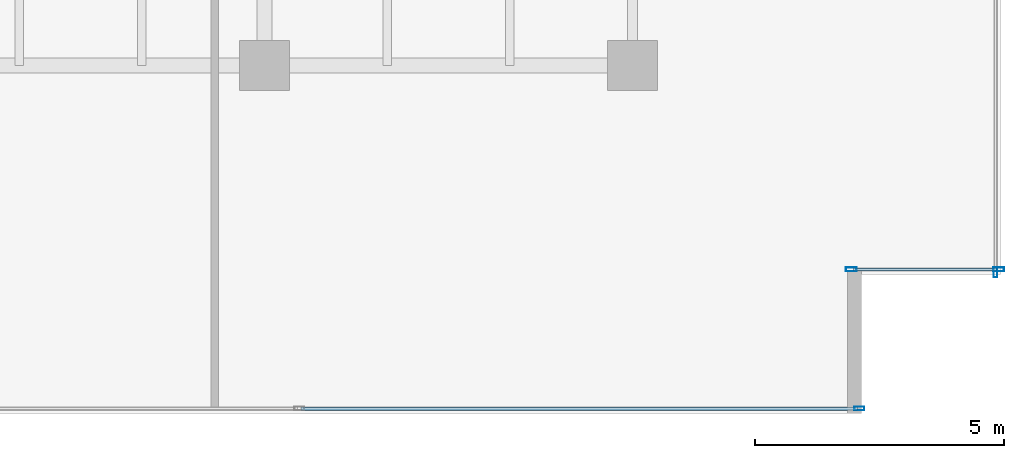
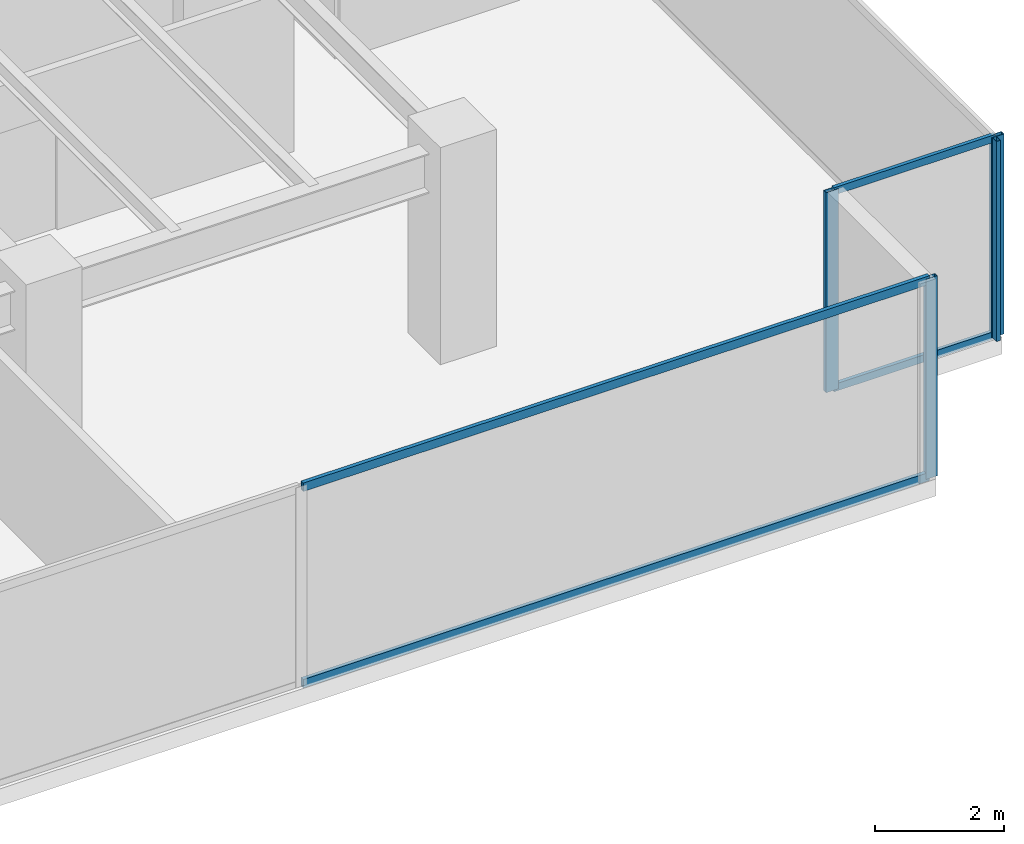
# One storey, part 23 of 35: 8 members, 3 elements without a shape of their own.
"""IFC4 building model written with IfcOpenShell, lengths in metres."""

from ifc_helpers import new_model, si_unit, direction, frame, origin, origin_2d, place, context, subcontext, project, spatial, hollow_rectangle, extrude, source, transform, mapped, material, layer, layer_set, material_profile, profile_set, type_object, type_shapes, element, aggregate, save


model = new_model("IFC4")

# Units and contexts
model_context = context("Model", 3, precision=1e-05, world=origin(), true_north=direction((0.0, 1.0)))
body_context = subcontext(model_context, "Body", "Model", "MODEL_VIEW")
ifc_project = project(units=[si_unit("LENGTHUNIT", "METRE"), si_unit("AREAUNIT", "SQUARE_METRE"), si_unit("VOLUMEUNIT", "CUBIC_METRE"), si_unit("PLANEANGLEUNIT", "RADIAN"), si_unit("MASSUNIT", "GRAM", prefix="KILO")], contexts=[model_context])

# Site, building, storey
site_placement = place(None, origin())
site = spatial("IfcSite", under=ifc_project, at=site_placement, CompositionType="ELEMENT")
building_placement = place(site_placement, origin())
building = spatial("IfcBuilding", under=site, at=building_placement, Name="Haelvirn Gate Laboratories", CompositionType="ELEMENT")
storey_placement = place(building_placement, frame((0.0, 0.0, 58.0)))
storey = spatial("IfcBuildingStorey", under=building, at=storey_placement, Name="L14", CompositionType="ELEMENT", Elevation=58.0)

# Curtain wall, member
ifc_material_1 = material(Name="Anodised bronze unitised aluminium & triple low-E glass", Category="aluminium")
ifc_layer_1 = layer(ifc_material_1, 0.18408203125, Name="CW-SYS-2")
ifc_layer_set_1 = layer_set([ifc_layer_1], Name="Anodised bronze unitised aluminium & triple low-E glass")
curtain_wall_type_1 = type_object("IfcCurtainWallType", Name="CW-SYS-2", PredefinedType="NOTDEFINED", material=ifc_layer_set_1)
curtain_wall_1_placement = place(storey_placement, origin())
curtain_wall_1 = element("IfcCurtainWall", 1, at=curtain_wall_1_placement, inside=storey, type_object=curtain_wall_type_1, Name="L14 Unitised Curtain Wall CW-L14-P0-E04-1", PredefinedType="NOTDEFINED")
ifc_material_2 = material(Name="Extruded aluminium 6063-T6 (anodised bronze)", Category="aluminium")
ifc_material_profile_1 = material_profile(ifc_material_2, hollow_rectangle(XDim=0.074951171875, YDim=0.199951171875, WallThickness=0.0048828125, at=origin_2d()), Name="CWM-200x75x5")
ifc_profile_set_1 = profile_set([ifc_material_profile_1], Name="Extruded aluminium 6063-T6 (anodised bronze)")
member_type_1 = type_object("IfcMemberType", Name="CWM-T200", PredefinedType="MULLION", material=ifc_profile_set_1)
shared_shape_1 = source(origin(), body_context, "Body", "SweptSolid", [
    extrude(hollow_rectangle(XDim=0.074951171875, YDim=0.199951171875, WallThickness=0.0048828125, at=origin_2d()), origin(), (0.0, 0.0, 1.0), 3.780029296875),
])
type_shapes(member_type_1, [shared_shape_1])
member_1_placement = place(storey_placement, frame((71.96240234375, 0.10009765625, 0.0), z_axis=(0.0, 0.0, 1.0), x_axis=(0.0, 1.0, 0.0)))
member_1 = element("IfcMember", 2, at=member_1_placement, type_object=member_type_1, Name="CW2 mullion 3", PredefinedType="MULLION", context=body_context, shape_type="MappedRepresentation", body=[
    mapped(shared_shape_1, transform((0.0, 0.0, 0.0), scale=1.0)),
])

curtain_wall_2_placement = place(storey_placement, origin())
curtain_wall_2 = element("IfcCurtainWall", 3, at=curtain_wall_2_placement, inside=storey, type_object=curtain_wall_type_1, Name="L14 Unitised Curtain Wall CW-L14-P0-E07", PredefinedType="NOTDEFINED")
member_2_placement = place(storey_placement, frame((74.699951171875, 2.83740234375, 0.0), z_axis=(0.0, 0.0, 1.0), x_axis=(-1.0, 0.0, 0.0)))
member_2 = element("IfcMember", 4, at=member_2_placement, type_object=member_type_1, Name="CW2 mullion 1", PredefinedType="MULLION", context=body_context, shape_type="MappedRepresentation", body=[
    mapped(shared_shape_1, transform((0.0, 0.0, 0.0), scale=1.0)),
])
aggregate(curtain_wall_2, [member_2])

# Member
ifc_material_profile_2 = material_profile(ifc_material_2, hollow_rectangle(XDim=0.070068359375, YDim=0.159912109375, WallThickness=0.0048828125, at=origin_2d()), Name="CWT-160x70x5")
ifc_profile_set_2 = profile_set([ifc_material_profile_2], Name="Extruded aluminium 6063-T6 (anodised bronze)")
member_type_2 = type_object("IfcMemberType", Name="CWT-T160", PredefinedType="USERDEFINED", material=ifc_profile_set_2)
shared_shape_2 = source(origin(), body_context, "Body", "SweptSolid", [
    extrude(hollow_rectangle(XDim=0.070068359375, YDim=0.159912109375, WallThickness=0.0048828125, at=origin_2d()), origin(), (0.0, 0.0, 1.0), 11.1875),
])
type_shapes(member_type_2, [shared_shape_2])
member_3_placement = place(storey_placement, frame((60.737548828125, 0.10009765625, 0.034912109375), z_axis=(1.0, 0.0, 0.0), x_axis=(0.0, 1.0, 0.0)))
member_3 = element("IfcMember", 5, at=member_3_placement, type_object=member_type_2, Name="CW2 transom 2.1", ObjectType="TRANSOM", PredefinedType="USERDEFINED", context=body_context, shape_type="MappedRepresentation", body=[
    mapped(shared_shape_2, transform((0.0, 0.0, 0.0), scale=1.0)),
])

member_4_placement = place(storey_placement, frame((60.737548828125, 0.10009765625, 3.7451171875), z_axis=(1.0, 0.0, 0.0), x_axis=(0.0, 1.0, 0.0)))
member_4 = element("IfcMember", 6, at=member_4_placement, type_object=member_type_2, Name="CW2 transom 2.2", ObjectType="TRANSOM", PredefinedType="USERDEFINED", context=body_context, shape_type="MappedRepresentation", body=[
    mapped(shared_shape_2, transform((0.0, 0.0, 0.0), scale=1.0)),
])

aggregate(curtain_wall_1, [member_1, member_3, member_4])

# Curtain wall, members
ifc_layer_2 = layer(ifc_material_1, 0.181884765625, Name="CW-SYS-5")
ifc_layer_set_2 = layer_set([ifc_layer_2], Name="Anodised bronze unitised aluminium & triple low-E glass")
curtain_wall_type_2 = type_object("IfcCurtainWallType", Name="CW-SYS-5", PredefinedType="NOTDEFINED", material=ifc_layer_set_2)
curtain_wall_3_placement = place(storey_placement, origin())
curtain_wall_3 = element("IfcCurtainWall", 7, at=curtain_wall_3_placement, inside=storey, type_object=curtain_wall_type_2, Name="L14 Unitised Curtain Wall CW-L14-P0-E06-1", PredefinedType="NOTDEFINED")
ifc_material_profile_3 = material_profile(ifc_material_2, hollow_rectangle(XDim=0.080078125, YDim=0.219970703125, WallThickness=0.006103515625, at=origin_2d()), Name="CWM-220x80x6")
ifc_profile_set_3 = profile_set([ifc_material_profile_3], Name="Extruded aluminium 6063-T6 (anodised bronze)")
member_type_3 = type_object("IfcMemberType", Name="CWM-T220", PredefinedType="MULLION", material=ifc_profile_set_3)
shared_shape_3 = source(origin(), body_context, "Body", "SweptSolid", [
    extrude(hollow_rectangle(XDim=0.080078125, YDim=0.219970703125, WallThickness=0.006103515625, at=origin_2d()), origin(), (0.0, 0.0, 1.0), 3.780029296875),
])
type_shapes(member_type_3, [shared_shape_3])
member_5_placement = place(storey_placement, frame((71.800048828125, 2.89990234375, 0.0), z_axis=(0.0, 0.0, 1.0), x_axis=(0.0, 1.0, 0.0)))
member_5 = element("IfcMember", 8, at=member_5_placement, type_object=member_type_3, Name="CW5 mullion 1", PredefinedType="MULLION", context=body_context, shape_type="MappedRepresentation", body=[
    mapped(shared_shape_3, transform((0.0, 0.0, 0.0), scale=1.0)),
])
member_6_placement = place(storey_placement, frame((74.760009765625, 2.89990234375, 0.0), z_axis=(0.0, 0.0, 1.0), x_axis=(0.0, 1.0, 0.0)))
member_6 = element("IfcMember", 9, at=member_6_placement, type_object=member_type_3, Name="CW5 mullion 2", PredefinedType="MULLION", context=body_context, shape_type="MappedRepresentation", body=[
    mapped(shared_shape_3, transform((0.0, 0.0, 0.0), scale=1.0)),
])
ifc_material_profile_4 = material_profile(ifc_material_2, hollow_rectangle(XDim=0.06494140625, YDim=0.139892578125, WallThickness=0.00390625, at=origin_2d()), Name="CWT-140x65x4")
ifc_profile_set_4 = profile_set([ifc_material_profile_4], Name="Extruded aluminium 6063-T6 (anodised bronze)")
member_type_4 = type_object("IfcMemberType", Name="CWT-T140", PredefinedType="USERDEFINED", material=ifc_profile_set_4)
shared_shape_4 = source(origin(), body_context, "Body", "SweptSolid", [
    extrude(hollow_rectangle(XDim=0.06494140625, YDim=0.139892578125, WallThickness=0.00390625, at=origin_2d()), origin(), (0.0, 0.0, 1.0), 2.8798828125),
])
type_shapes(member_type_4, [shared_shape_4])
member_7_placement = place(storey_placement, frame((71.840087890625, 2.89990234375, 0.032470703125), z_axis=(1.0, 0.0, 0.0), x_axis=(0.0, 1.0, 0.0)))
member_7 = element("IfcMember", 10, at=member_7_placement, type_object=member_type_4, Name="CW5 transom 1.1", ObjectType="TRANSOM", PredefinedType="USERDEFINED", context=body_context, shape_type="MappedRepresentation", body=[
    mapped(shared_shape_4, transform((0.0, 0.0, 0.0), scale=1.0)),
])
member_8_placement = place(storey_placement, frame((71.840087890625, 2.89990234375, 3.74755859375), z_axis=(1.0, 0.0, 0.0), x_axis=(0.0, 1.0, 0.0)))
member_8 = element("IfcMember", 11, at=member_8_placement, type_object=member_type_4, Name="CW5 transom 1.2", ObjectType="TRANSOM", PredefinedType="USERDEFINED", context=body_context, shape_type="MappedRepresentation", body=[
    mapped(shared_shape_4, transform((0.0, 0.0, 0.0), scale=1.0)),
])
aggregate(curtain_wall_3, [member_5, member_6, member_7, member_8])

save(model, "model.ifc")
